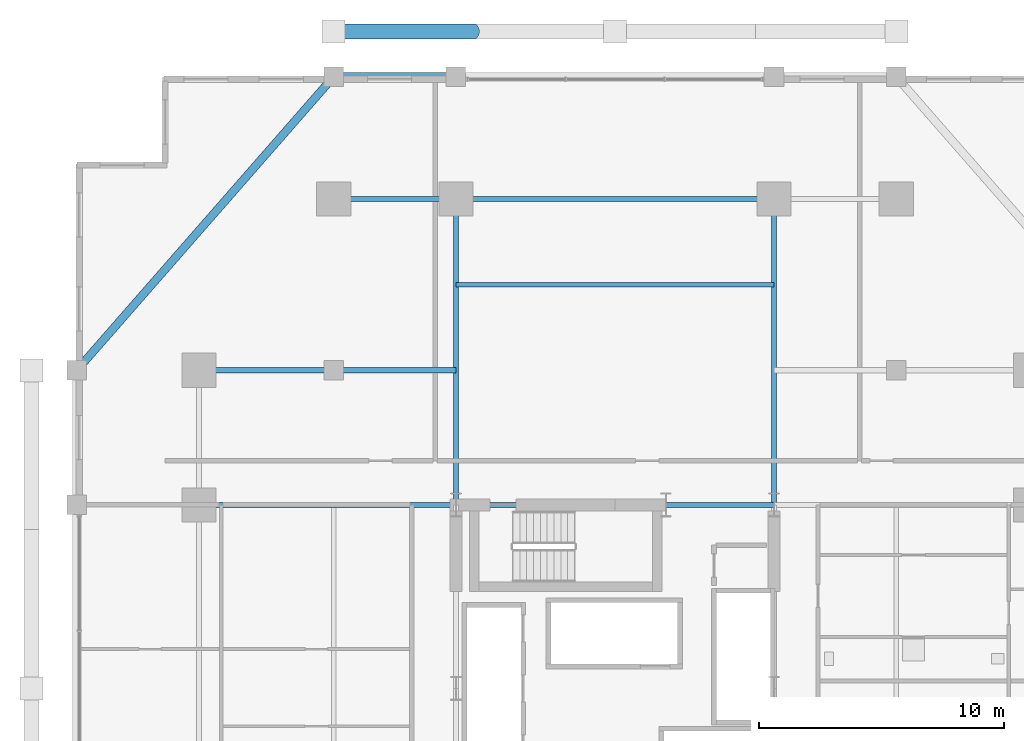
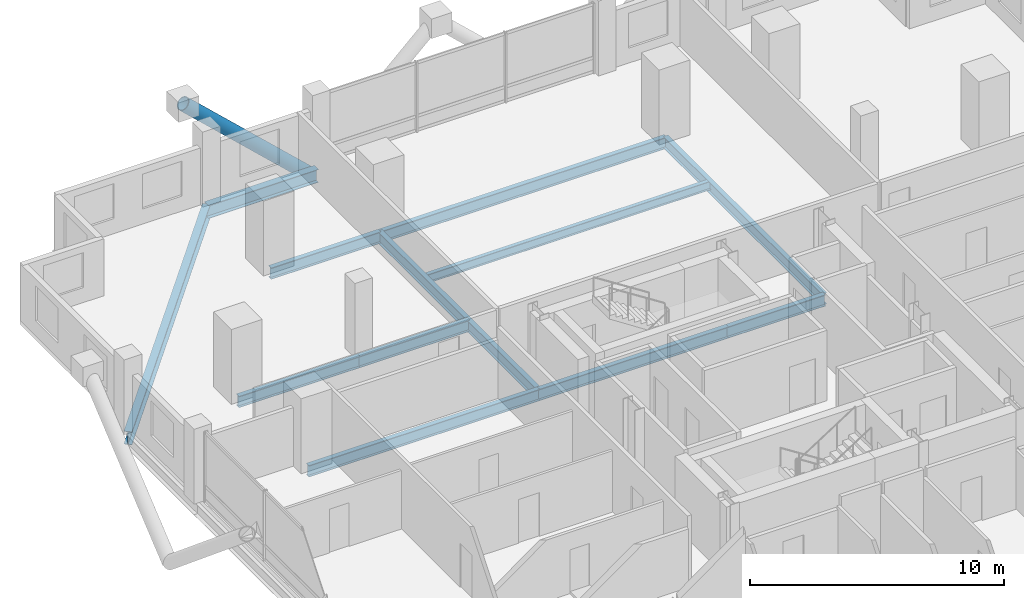
# One storey, part 12 of 23: 12 beams, 1 member.
"""IFC4 building model written with IfcOpenShell, lengths in metres."""

from ifc_helpers import new_model, si_unit, direction, frame, origin, origin_2d, place, context, subcontext, project, spatial, hollow_circle, i_section, extrude, material, material_profile, profile_set, type_object, element, save


model = new_model("IFC4")

# Units and contexts
model_context = context("Model", 3, precision=1e-05, world=origin(), true_north=direction((0.0, 1.0)))
body_context = subcontext(model_context, "Body", "Model", "MODEL_VIEW")
ifc_project = project(units=[si_unit("LENGTHUNIT", "METRE"), si_unit("AREAUNIT", "SQUARE_METRE"), si_unit("VOLUMEUNIT", "CUBIC_METRE"), si_unit("PLANEANGLEUNIT", "RADIAN"), si_unit("MASSUNIT", "GRAM", prefix="KILO")], contexts=[model_context])

# Site, building, storey
site_placement = place(None, origin())
site = spatial("IfcSite", under=ifc_project, at=site_placement, CompositionType="ELEMENT")
building_placement = place(site_placement, origin())
building = spatial("IfcBuilding", under=site, at=building_placement, Name="Barlavira Tower and Art Museum", CompositionType="ELEMENT")
storey_placement = place(building_placement, frame((0.0, 0.0, 68.39990234375)))
storey = spatial("IfcBuildingStorey", under=building, at=storey_placement, Name="L16", CompositionType="ELEMENT", Elevation=68.39990234375)

# Member
ifc_material = material(Name="Steel S355", Category="steel")
ifc_material_profile_1 = material_profile(ifc_material, hollow_circle(Radius=0.304931640625, WallThickness=0.028076171875, at=origin_2d()), Name="CHS 610.0x28.0")
ifc_profile_set_1 = profile_set([ifc_material_profile_1], Name="Steel S355")
member_type = type_object("IfcMemberType", Name="Pale-Metal Exoskeleton Diagrid Tube CHS 610x28 Steel S355", PredefinedType="BRACE", material=ifc_profile_set_1)
member_placement = place(storey_placement, frame((-5.75, 26.85009765625, -1.919921875), z_axis=(-0.728950095515, 0.0, 0.684566839869), x_axis=(0.0, -1.0, 0.0)))
element("IfcMember", 1, at=member_placement, inside=storey, type_object=member_type, Name="L16 Exoskeleton Diagrid Tube N", PredefinedType="BRACE", context=body_context, shape_type="SweptSolid", body=[
    extrude(hollow_circle(Radius=0.304931640625, WallThickness=0.028076171875, at=origin_2d()), origin(), (0.0, 0.0, 1.0), 7.887939453125),
])

# Beams
ifc_material_profile_2 = material_profile(ifc_material, i_section(OverallWidth=0.327880859375, OverallDepth=0.62890625, WebThickness=0.013916015625, FlangeThickness=0.021484375, at=origin_2d()), Name="W610x174.0")
ifc_profile_set_2 = profile_set([ifc_material_profile_2], Name="Steel S355")
beam_type_1 = type_object("IfcBeamType", Name="Perimeter Spandrel Edge Beam W610x174 Steel S355", PredefinedType="SPANDREL", material=ifc_profile_set_2)
beam_1_placement = place(storey_placement, frame((-11.5, 25.0, -0.534423828125), z_axis=(1.0, 0.0, 0.0), x_axis=(0.0, 1.0, 0.0)))
element("IfcBeam", 2, at=beam_1_placement, inside=storey, type_object=beam_type_1, Name="L16 Spandrel 11", PredefinedType="SPANDREL", context=body_context, shape_type="SweptSolid", body=[
    extrude(i_section(OverallWidth=0.327880859375, OverallDepth=0.62890625, WebThickness=0.013916015625, FlangeThickness=0.021484375, at=origin_2d()), origin(), (0.0, 0.0, 1.0), 5.0),
])
beam_2_placement = place(storey_placement, frame((-11.5, 25.0, -0.534423828125), z_axis=(-0.658504607869, -0.752576694707, 0.0), x_axis=(0.752576694707, -0.658504607869, 0.0)))
element("IfcBeam", 3, at=beam_2_placement, inside=storey, type_object=beam_type_1, Name="L16 Spandrel 12", PredefinedType="SPANDREL", context=body_context, shape_type="SweptSolid", body=[
    extrude(i_section(OverallWidth=0.327880859375, OverallDepth=0.62890625, WebThickness=0.013916015625, FlangeThickness=0.021484375, at=origin_2d()), origin(), (0.0, 0.0, 1.0), 15.9453125),
])
ifc_material_profile_3 = material_profile(ifc_material, i_section(OverallWidth=0.180908203125, OverallDepth=0.4169921875, WebThickness=0.010986328125, FlangeThickness=0.018310546875, at=origin_2d()), Name="W410x85.0")
ifc_profile_set_3 = profile_set([ifc_material_profile_3], Name="Steel S355")
beam_type_2 = type_object("IfcBeamType", Name="Zone 1 Composite Floor Joist W410x85 Steel S355", PredefinedType="JOIST", material=ifc_profile_set_3)
beam_3_placement = place(storey_placement, frame((-6.5, 16.5, -0.428466796875), z_axis=(1.0, 0.0, 0.0), x_axis=(0.0, 1.0, 0.0)))
element("IfcBeam", 4, at=beam_3_placement, inside=storey, type_object=beam_type_2, Name="L16 Joist C2", PredefinedType="JOIST", context=body_context, shape_type="SweptSolid", body=[
    extrude(i_section(OverallWidth=0.180908203125, OverallDepth=0.4169921875, WebThickness=0.010986328125, FlangeThickness=0.018310546875, at=origin_2d()), origin(), (0.0, 0.0, 1.0), 13.0),
])
ifc_material_profile_4 = material_profile(ifc_material, i_section(OverallWidth=0.214111328125, OverallDepth=0.549072265625, WebThickness=0.0146484375, FlangeThickness=0.023681640625, at=origin_2d()), Name="W530x138.0")
ifc_profile_set_4 = profile_set([ifc_material_profile_4], Name="Steel S355")
beam_type_3 = type_object("IfcBeamType", Name="Zone 1 Primary Floor Girder W530x138 Steel S355", PredefinedType="BEAM", material=ifc_profile_set_4)
beam_4_placement = place(storey_placement, frame((-6.5, 7.5, -0.494384765625), z_axis=(1.0, 0.0, 0.0), x_axis=(0.0, 1.0, 0.0)))
element("IfcBeam", 5, at=beam_4_placement, inside=storey, type_object=beam_type_3, Name="L16 Girder C-N1", PredefinedType="BEAM", context=body_context, shape_type="SweptSolid", body=[
    extrude(i_section(OverallWidth=0.214111328125, OverallDepth=0.549072265625, WebThickness=0.0146484375, FlangeThickness=0.023681640625, at=origin_2d()), origin(), (0.0, 0.0, 1.0), 8.580078125),
])
beam_5_placement = place(storey_placement, frame((2.080078125, 7.5, -0.494384765625), z_axis=(1.0, 0.0, 0.0), x_axis=(0.0, 1.0, 0.0)))
element("IfcBeam", 6, at=beam_5_placement, inside=storey, type_object=beam_type_3, Name="L16 Girder C-N2", PredefinedType="BEAM", context=body_context, shape_type="SweptSolid", body=[
    extrude(i_section(OverallWidth=0.214111328125, OverallDepth=0.549072265625, WebThickness=0.0146484375, FlangeThickness=0.023681640625, at=origin_2d()), origin(), (0.0, 0.0, 1.0), 4.419921875),
])
beam_6_placement = place(storey_placement, frame((-11.5, 20.0, -0.494384765625), z_axis=(1.0, 0.0, 0.0), x_axis=(0.0, 1.0, 0.0)))
element("IfcBeam", 7, at=beam_6_placement, inside=storey, type_object=beam_type_3, Name="L16 Girder M-N1", PredefinedType="BEAM", context=body_context, shape_type="SweptSolid", body=[
    extrude(i_section(OverallWidth=0.214111328125, OverallDepth=0.549072265625, WebThickness=0.0146484375, FlangeThickness=0.023681640625, at=origin_2d()), origin(), (0.0, 0.0, 1.0), 5.0),
])
beam_7_placement = place(storey_placement, frame((-6.5, 20.0, -0.494384765625), z_axis=(1.0, 0.0, 0.0), x_axis=(0.0, 1.0, 0.0)))
element("IfcBeam", 8, at=beam_7_placement, inside=storey, type_object=beam_type_3, Name="L16 Girder M-N2", PredefinedType="BEAM", context=body_context, shape_type="SweptSolid", body=[
    extrude(i_section(OverallWidth=0.214111328125, OverallDepth=0.549072265625, WebThickness=0.0146484375, FlangeThickness=0.023681640625, at=origin_2d()), origin(), (0.0, 0.0, 1.0), 13.0),
])
for number, where, z_axis, x_axis, name in (
    (9, (-6.5, 7.5, -0.494384765625), (0.0, 1.0, 0.0), (-1.0, 0.0, 0.0), "L16 Girder R-N1"),
    (10, (6.5, 7.5, -0.494384765625), (0.0, 1.0, 0.0), (-1.0, 0.0, 0.0), "L16 Girder R-N2"),
):
    element("IfcBeam", number, at=place(storey_placement, frame(where, z_axis=z_axis, x_axis=x_axis)), inside=storey, type_object=beam_type_3, Name=name, PredefinedType="BEAM", context=body_context, shape_type="SweptSolid", body=[
        extrude(i_section(OverallWidth=0.214111328125, OverallDepth=0.549072265625, WebThickness=0.0146484375, FlangeThickness=0.023681640625, at=origin_2d()), origin(), (0.0, 0.0, 1.0), 12.5),
    ])
beam_8_placement = place(storey_placement, frame((-17.0, 7.5, -0.494384765625), z_axis=(1.0, 0.0, 0.0), x_axis=(0.0, 1.0, 0.0)))
element("IfcBeam", 11, at=beam_8_placement, inside=storey, type_object=beam_type_3, Name="L16 Girder R-W2", PredefinedType="BEAM", context=body_context, shape_type="SweptSolid", body=[
    extrude(i_section(OverallWidth=0.214111328125, OverallDepth=0.549072265625, WebThickness=0.0146484375, FlangeThickness=0.023681640625, at=origin_2d()), origin(), (0.0, 0.0, 1.0), 10.5),
])
beam_9_placement = place(storey_placement, frame((-17.0, 13.0, -0.494384765625), z_axis=(1.0, 0.0, 0.0), x_axis=(0.0, 1.0, 0.0)))
element("IfcBeam", 12, at=beam_9_placement, inside=storey, type_object=beam_type_3, Name="L16 Girder I-N1", PredefinedType="BEAM", context=body_context, shape_type="SweptSolid", body=[
    extrude(i_section(OverallWidth=0.214111328125, OverallDepth=0.549072265625, WebThickness=0.0146484375, FlangeThickness=0.023681640625, at=origin_2d()), origin(), (0.0, 0.0, 1.0), 5.5),
])
beam_10_placement = place(storey_placement, frame((-11.5, 13.0, -0.494384765625), z_axis=(1.0, 0.0, 0.0), x_axis=(0.0, 1.0, 0.0)))
element("IfcBeam", 13, at=beam_10_placement, inside=storey, type_object=beam_type_3, Name="L16 Girder I-N2", PredefinedType="BEAM", context=body_context, shape_type="SweptSolid", body=[
    extrude(i_section(OverallWidth=0.214111328125, OverallDepth=0.549072265625, WebThickness=0.0146484375, FlangeThickness=0.023681640625, at=origin_2d()), origin(), (0.0, 0.0, 1.0), 5.0),
])

save(model, "model.ifc")
